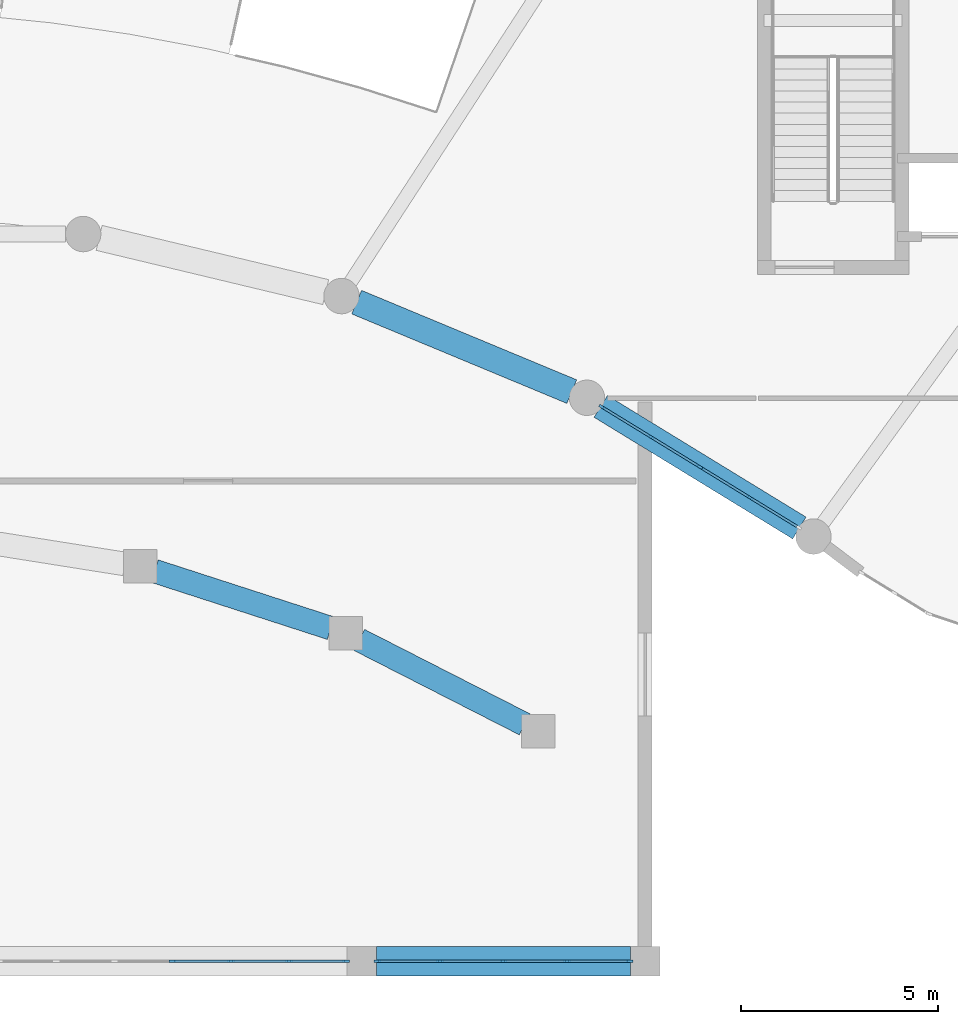
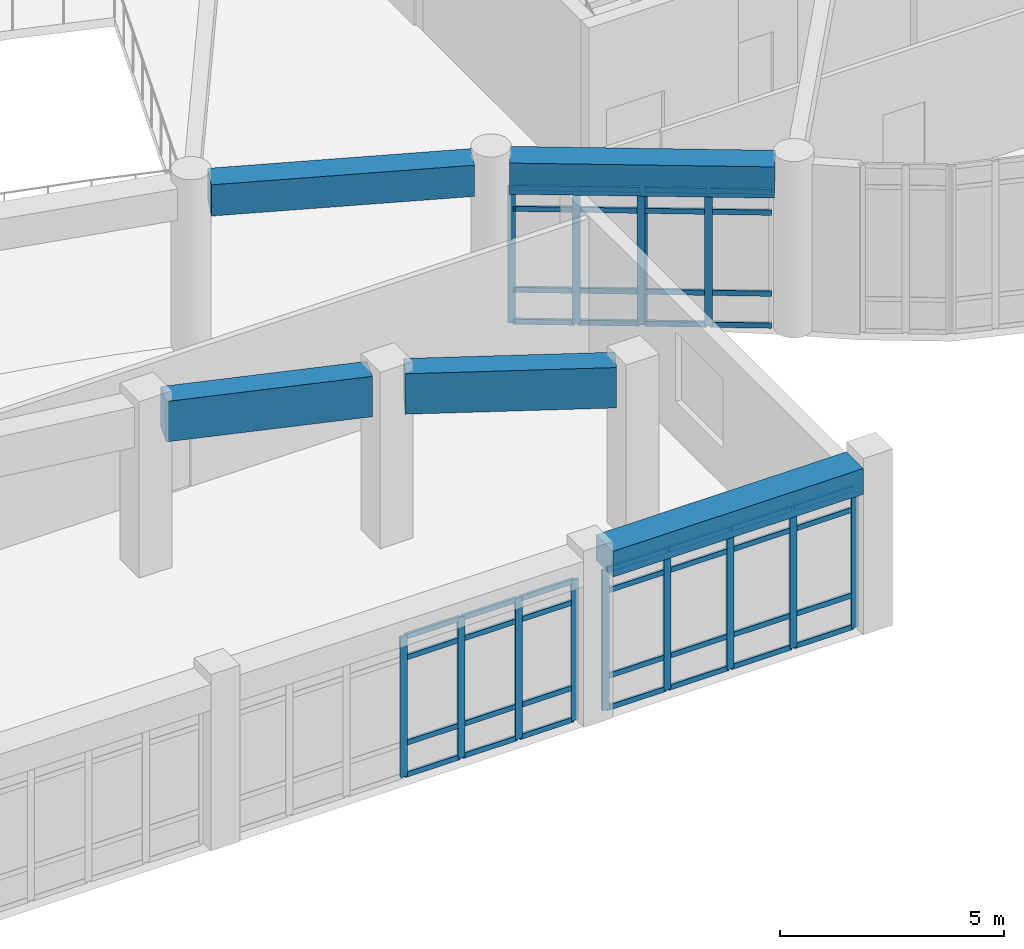
# One storey, part 15 of 68: 58 members, 5 beams, 4 elements without a shape of their own.
"""IFC4 building model written with IfcOpenShell, lengths in metres."""

from ifc_helpers import new_model, si_unit, direction, frame, origin, origin_2d, place, context, subcontext, project, spatial, rectangle, extrude, material, layer, layer_set, material_profile, profile_set, type_object, element, aggregate, save


model = new_model("IFC4")

# Units and contexts
model_context = context("Model", 3, precision=1e-05, world=origin(), true_north=direction((0.0, 1.0)))
body_context = subcontext(model_context, "Body", "Model", "MODEL_VIEW")
ifc_project = project(units=[si_unit("LENGTHUNIT", "METRE"), si_unit("AREAUNIT", "SQUARE_METRE"), si_unit("VOLUMEUNIT", "CUBIC_METRE"), si_unit("PLANEANGLEUNIT", "RADIAN"), si_unit("MASSUNIT", "GRAM", prefix="KILO")], contexts=[model_context])

# Site, building, storey
site_placement = place(None, origin())
site = spatial("IfcSite", under=ifc_project, at=site_placement, CompositionType="ELEMENT")
building_placement = place(site_placement, origin())
building = spatial("IfcBuilding", under=site, at=building_placement, Name="Miralva Faculty of Natural Sciences", CompositionType="ELEMENT")
storey_placement = place(building_placement, frame((0.0, 0.0, 5.39990234375)))
storey = spatial("IfcBuildingStorey", under=building, at=storey_placement, Name="L01", CompositionType="ELEMENT", Elevation=5.39990234375)

# Beams
ifc_material_1 = material(Name="Concrete C40/50", Category="concrete")
ifc_material_profile_1 = material_profile(ifc_material_1, rectangle(XDim=0.75, YDim=0.699951171875, at=origin_2d()), Name="RC 750x700")
ifc_profile_set_1 = profile_set([ifc_material_profile_1], Name="Concrete C40/50")
beam_type_1 = type_object("IfcBeamType", Name="BM-SP01", PredefinedType="SPANDREL", material=ifc_profile_set_1)
beam_1_placement = place(storey_placement, frame((104.175048828125, 3.0, 4.18017578125), z_axis=(1.0, 0.0, 0.0), x_axis=(0.0, 1.0, 0.0)))
element("IfcBeam", 1, at=beam_1_placement, inside=storey, type_object=beam_type_1, Name="Girder EW L01-10", PredefinedType="SPANDREL", context=body_context, shape_type="SweptSolid", body=[
    extrude(rectangle(XDim=0.75, YDim=0.699951171875, at=origin_2d()), origin(), (0.0, 0.0, 1.0), 6.449951171875),
])
ifc_material_profile_2 = material_profile(ifc_material_1, rectangle(XDim=0.64990234375, YDim=0.85009765625, at=origin_2d()), Name="RC 650x850")
ifc_profile_set_2 = profile_set([ifc_material_profile_2], Name="Concrete C40/50")
beam_type_2 = type_object("IfcBeamType", Name="BM-SP03", PredefinedType="SPANDREL", material=ifc_profile_set_2)
beam_2_placement = place(storey_placement, frame((114.9169921875, 14.006103515625, 4.135009765625), z_axis=(-0.852887694262, 0.522094417683, 0.0), x_axis=(-0.522094417683, -0.852887694262, 0.0)))
element("IfcBeam", 2, at=beam_2_placement, inside=storey, type_object=beam_type_2, Name="Curved chord girder ARCIN L01-1", PredefinedType="SPANDREL", context=body_context, shape_type="SweptSolid", body=[
    extrude(rectangle(XDim=0.64990234375, YDim=0.85009765625, at=origin_2d()), origin(), (0.0, 0.0, 1.0), 5.9140625),
])
beam_3_placement = place(storey_placement, frame((109.1376953125, 17.468994140625, 4.10498046875), z_axis=(-0.923376848941, 0.38389477053, 0.0), x_axis=(-0.38389477053, -0.923376848941, 0.0)))
element("IfcBeam", 3, at=beam_3_placement, inside=storey, type_object=beam_type_2, Name="Curved chord girder ARCIN L01-2", PredefinedType="SPANDREL", context=body_context, shape_type="SweptSolid", body=[
    extrude(rectangle(XDim=0.64990234375, YDim=0.85009765625, at=origin_2d()), origin(), (0.0, 0.0, 1.0), 5.9189453125),
])
ifc_material_profile_3 = material_profile(ifc_material_1, rectangle(XDim=0.60009765625, YDim=1.10009765625, at=origin_2d()), Name="RC 600x1100")
ifc_profile_set_3 = profile_set([ifc_material_profile_3], Name="Concrete C40/50")
beam_type_3 = type_object("IfcBeamType", Name="BM-TG01", PredefinedType="BEAM", material=ifc_profile_set_3)
beam_4_placement = place(storey_placement, frame((107.941650390625, 9.017578125, 4.0), z_axis=(-0.890744771804, 0.454503852024, 0.0), x_axis=(-0.454503852024, -0.890744771804, 0.0)))
element("IfcBeam", 4, at=beam_4_placement, inside=storey, type_object=beam_type_3, Name="Curved chord girder SHIN L01-1", PredefinedType="BEAM", context=body_context, shape_type="SweptSolid", body=[
    extrude(rectangle(XDim=0.60009765625, YDim=1.10009765625, at=origin_2d()), origin(), (0.0, 0.0, 1.0), 4.718994140625),
])
beam_5_placement = place(storey_placement, frame((103.01806640625, 11.46044921875, 4.0), z_axis=(-0.951377447545, 0.308027518743, 0.0), x_axis=(-0.308027518743, -0.951377447545, 0.0)))
element("IfcBeam", 5, at=beam_5_placement, inside=storey, type_object=beam_type_3, Name="Curved chord girder SHIN L01-2", PredefinedType="BEAM", context=body_context, shape_type="SweptSolid", body=[
    extrude(rectangle(XDim=0.60009765625, YDim=1.10009765625, at=origin_2d()), origin(), (0.0, 0.0, 1.0), 4.704833984375),
])

# Curtain wall, members
ifc_material_2 = material(Name="Laminated solar-control glass", Category="glass")
ifc_layer_1 = layer(ifc_material_2, 0.179931640625, Name="CW-ARC-L01")
ifc_layer_set_1 = layer_set([ifc_layer_1], Name="Laminated solar-control glass")
curtain_wall_type_1 = type_object("IfcCurtainWallType", Name="CW-ARC-L01", PredefinedType="USERDEFINED", material=ifc_layer_set_1)
curtain_wall_1_placement = place(storey_placement, origin())
curtain_wall_1 = element("IfcCurtainWall", 6, at=curtain_wall_1_placement, inside=storey, type_object=curtain_wall_type_1, Name="Curtain wall CW-02 L01-29", ObjectType="UNITISED CURTAIN WALL", PredefinedType="USERDEFINED")
ifc_material_3 = material(Name="Anodised aluminium", Category="aluminium")
ifc_material_profile_4 = material_profile(ifc_material_3, rectangle(XDim=0.06494140625, YDim=0.179931640625, at=origin_2d()), Name="MULLION 65x180")
ifc_profile_set_4 = profile_set([ifc_material_profile_4], Name="Anodised aluminium")
member_type_1 = type_object("IfcMemberType", Name="CW-M01", PredefinedType="MULLION", material=ifc_profile_set_4)
member_1_placement = place(storey_placement, frame((109.91162109375, 17.07421875, 0.0), z_axis=(0.0, 0.0, 1.0), x_axis=(0.522482534269, 0.852649987617, 0.0)))
member_1 = element("IfcMember", 7, at=member_1_placement, type_object=member_type_1, Name="CW-02 mullion 1", PredefinedType="MULLION", context=body_context, shape_type="SweptSolid", body=[
    extrude(rectangle(XDim=0.06494140625, YDim=0.179931640625, at=origin_2d()), origin(), (0.0, 0.0, 1.0), 3.705078125),
])
member_2_placement = place(storey_placement, frame((111.14111328125, 16.32080078125, 0.0), z_axis=(0.0, 0.0, 1.0), x_axis=(0.522482534269, 0.852649987617, 0.0)))
member_2 = element("IfcMember", 8, at=member_2_placement, type_object=member_type_1, Name="CW-02 mullion 2", PredefinedType="MULLION", context=body_context, shape_type="SweptSolid", body=[
    extrude(rectangle(XDim=0.06494140625, YDim=0.179931640625, at=origin_2d()), origin(), (0.0, 0.0, 1.0), 3.705078125),
])
member_3_placement = place(storey_placement, frame((112.37060546875, 15.5673828125, 0.0), z_axis=(0.0, 0.0, 1.0), x_axis=(0.522482534269, 0.852649987617, 0.0)))
member_3 = element("IfcMember", 9, at=member_3_placement, type_object=member_type_1, Name="CW-02 mullion 3", PredefinedType="MULLION", context=body_context, shape_type="SweptSolid", body=[
    extrude(rectangle(XDim=0.06494140625, YDim=0.179931640625, at=origin_2d()), origin(), (0.0, 0.0, 1.0), 3.705078125),
])

curtain_wall_2_placement = place(storey_placement, origin())
curtain_wall_2 = element("IfcCurtainWall", 10, at=curtain_wall_2_placement, inside=storey, type_object=curtain_wall_type_1, Name="Curtain wall CW-02 L01-30", ObjectType="UNITISED CURTAIN WALL", PredefinedType="USERDEFINED")
member_4_placement = place(storey_placement, frame((112.421630859375, 15.5361328125, 0.0), z_axis=(0.0, 0.0, 1.0), x_axis=(0.522489018681, 0.852646014098, 0.0)))
member_4 = element("IfcMember", 11, at=member_4_placement, type_object=member_type_1, Name="CW-02 mullion 1", PredefinedType="MULLION", context=body_context, shape_type="SweptSolid", body=[
    extrude(rectangle(XDim=0.06494140625, YDim=0.179931640625, at=origin_2d()), origin(), (0.0, 0.0, 1.0), 3.705078125),
])
member_5_placement = place(storey_placement, frame((113.653076171875, 14.781494140625, 0.0), z_axis=(0.0, 0.0, 1.0), x_axis=(0.522489018681, 0.852646014098, 0.0)))
member_5 = element("IfcMember", 12, at=member_5_placement, type_object=member_type_1, Name="CW-02 mullion 2", PredefinedType="MULLION", context=body_context, shape_type="SweptSolid", body=[
    extrude(rectangle(XDim=0.06494140625, YDim=0.179931640625, at=origin_2d()), origin(), (0.0, 0.0, 1.0), 3.705078125),
])

ifc_layer_2 = layer(ifc_material_2, 0.179931640625, Name="CW-LEC-L01")
ifc_layer_set_2 = layer_set([ifc_layer_2], Name="Laminated solar-control glass")
curtain_wall_type_2 = type_object("IfcCurtainWallType", Name="CW-LEC-L01", PredefinedType="USERDEFINED", material=ifc_layer_set_2)
curtain_wall_3_placement = place(storey_placement, origin())
curtain_wall_3 = element("IfcCurtainWall", 13, at=curtain_wall_3_placement, inside=storey, type_object=curtain_wall_type_2, Name="Curtain wall CW-08 L01-209", ObjectType="UNITISED CURTAIN WALL", PredefinedType="USERDEFINED")
member_6_placement = place(storey_placement, frame((99.0, 3.0, 0.0), z_axis=(0.0, 0.0, 1.0), x_axis=(0.0, 1.0, 0.0)))
member_6 = element("IfcMember", 14, at=member_6_placement, type_object=member_type_1, Name="CW-08 mullion 4", PredefinedType="MULLION", context=body_context, shape_type="SweptSolid", body=[
    extrude(rectangle(XDim=0.06494140625, YDim=0.179931640625, at=origin_2d()), origin(), (0.0, 0.0, 1.0), 3.8251953125),
])
member_7_placement = place(storey_placement, frame((100.478271484375, 3.0, 0.0), z_axis=(0.0, 0.0, 1.0), x_axis=(0.0, 1.0, 0.0)))
member_7 = element("IfcMember", 15, at=member_7_placement, type_object=member_type_1, Name="CW-08 mullion 5", PredefinedType="MULLION", context=body_context, shape_type="SweptSolid", body=[
    extrude(rectangle(XDim=0.06494140625, YDim=0.179931640625, at=origin_2d()), origin(), (0.0, 0.0, 1.0), 3.8251953125),
])
member_8_placement = place(storey_placement, frame((101.956787109375, 3.0, 0.0), z_axis=(0.0, 0.0, 1.0), x_axis=(0.0, 1.0, 0.0)))
member_8 = element("IfcMember", 16, at=member_8_placement, type_object=member_type_1, Name="CW-08 mullion 6", PredefinedType="MULLION", context=body_context, shape_type="SweptSolid", body=[
    extrude(rectangle(XDim=0.06494140625, YDim=0.179931640625, at=origin_2d()), origin(), (0.0, 0.0, 1.0), 3.8251953125),
])
member_9_placement = place(storey_placement, frame((103.402587890625, 3.0, 0.0), z_axis=(0.0, 0.0, 1.0), x_axis=(0.0, 1.0, 0.0)))
member_9 = element("IfcMember", 17, at=member_9_placement, type_object=member_type_1, Name="CW-08 mullion 7", PredefinedType="MULLION", context=body_context, shape_type="SweptSolid", body=[
    extrude(rectangle(XDim=0.06494140625, YDim=0.179931640625, at=origin_2d()), origin(), (0.0, 0.0, 1.0), 3.8251953125),
])

curtain_wall_4_placement = place(storey_placement, origin())
curtain_wall_4 = element("IfcCurtainWall", 18, at=curtain_wall_4_placement, inside=storey, type_object=curtain_wall_type_2, Name="Curtain wall CW-08 L01-210", ObjectType="UNITISED CURTAIN WALL", PredefinedType="USERDEFINED")
member_10_placement = place(storey_placement, frame((104.197509765625, 3.0, 0.0), z_axis=(0.0, 0.0, 1.0), x_axis=(0.0, 1.0, 0.0)))
member_10 = element("IfcMember", 19, at=member_10_placement, type_object=member_type_1, Name="CW-08 mullion 1", PredefinedType="MULLION", context=body_context, shape_type="SweptSolid", body=[
    extrude(rectangle(XDim=0.06494140625, YDim=0.179931640625, at=origin_2d()), origin(), (0.0, 0.0, 1.0), 3.8251953125),
])
member_11_placement = place(storey_placement, frame((105.782470703125, 3.0, 0.0), z_axis=(0.0, 0.0, 1.0), x_axis=(0.0, 1.0, 0.0)))
member_11 = element("IfcMember", 20, at=member_11_placement, type_object=member_type_1, Name="CW-08 mullion 2", PredefinedType="MULLION", context=body_context, shape_type="SweptSolid", body=[
    extrude(rectangle(XDim=0.06494140625, YDim=0.179931640625, at=origin_2d()), origin(), (0.0, 0.0, 1.0), 3.8251953125),
])
member_12_placement = place(storey_placement, frame((107.39990234375, 3.0, 0.0), z_axis=(0.0, 0.0, 1.0), x_axis=(0.0, 1.0, 0.0)))
member_12 = element("IfcMember", 21, at=member_12_placement, type_object=member_type_1, Name="CW-08 mullion 3", PredefinedType="MULLION", context=body_context, shape_type="SweptSolid", body=[
    extrude(rectangle(XDim=0.06494140625, YDim=0.179931640625, at=origin_2d()), origin(), (0.0, 0.0, 1.0), 3.8251953125),
])
member_13_placement = place(storey_placement, frame((109.017578125, 3.0, 0.0), z_axis=(0.0, 0.0, 1.0), x_axis=(0.0, 1.0, 0.0)))
member_13 = element("IfcMember", 22, at=member_13_placement, type_object=member_type_1, Name="CW-08 mullion 4", PredefinedType="MULLION", context=body_context, shape_type="SweptSolid", body=[
    extrude(rectangle(XDim=0.06494140625, YDim=0.179931640625, at=origin_2d()), origin(), (0.0, 0.0, 1.0), 3.8251953125),
])
member_14_placement = place(storey_placement, frame((110.6025390625, 3.0, 0.0), z_axis=(0.0, 0.0, 1.0), x_axis=(0.0, 1.0, 0.0)))
member_14 = element("IfcMember", 23, at=member_14_placement, type_object=member_type_1, Name="CW-08 mullion 5", PredefinedType="MULLION", context=body_context, shape_type="SweptSolid", body=[
    extrude(rectangle(XDim=0.06494140625, YDim=0.179931640625, at=origin_2d()), origin(), (0.0, 0.0, 1.0), 3.8251953125),
])

# Member
ifc_material_profile_5 = material_profile(ifc_material_3, rectangle(XDim=0.06494140625, YDim=0.139892578125, at=origin_2d()), Name="TRANSOM 65x140")
ifc_profile_set_5 = profile_set([ifc_material_profile_5], Name="Anodised aluminium")
member_type_2 = type_object("IfcMemberType", Name="CW-T01", PredefinedType="USERDEFINED", material=ifc_profile_set_5)
member_15_placement = place(storey_placement, frame((109.939208984375, 17.05712890625, 0.03271484375), z_axis=(0.852715910973, -0.522374937352, 0.0), x_axis=(0.522374937352, 0.852715910973, 0.0)))
member_15 = element("IfcMember", 24, at=member_15_placement, type_object=member_type_2, Name="CW-02 transom 1.1", ObjectType="TRANSOM", PredefinedType="USERDEFINED", context=body_context, shape_type="SweptSolid", body=[
    extrude(rectangle(XDim=0.06494140625, YDim=0.139892578125, at=origin_2d()), origin(), (0.0, 0.0, 1.0), 1.376953125),
])

member_16_placement = place(storey_placement, frame((109.939208984375, 17.05712890625, 0.900146484375), z_axis=(0.852715910973, -0.522374937352, 0.0), x_axis=(0.522374937352, 0.852715910973, 0.0)))
member_16 = element("IfcMember", 25, at=member_16_placement, type_object=member_type_2, Name="CW-02 transom 1.2", ObjectType="TRANSOM", PredefinedType="USERDEFINED", context=body_context, shape_type="SweptSolid", body=[
    extrude(rectangle(XDim=0.06494140625, YDim=0.139892578125, at=origin_2d()), origin(), (0.0, 0.0, 1.0), 1.376953125),
])

member_17_placement = place(storey_placement, frame((109.939208984375, 17.05712890625, 3.10498046875), z_axis=(0.852715910973, -0.522374937352, 0.0), x_axis=(0.522374937352, 0.852715910973, 0.0)))
member_17 = element("IfcMember", 26, at=member_17_placement, type_object=member_type_2, Name="CW-02 transom 1.3", ObjectType="TRANSOM", PredefinedType="USERDEFINED", context=body_context, shape_type="SweptSolid", body=[
    extrude(rectangle(XDim=0.06494140625, YDim=0.139892578125, at=origin_2d()), origin(), (0.0, 0.0, 1.0), 1.376953125),
])

member_18_placement = place(storey_placement, frame((109.939208984375, 17.05712890625, 3.672607421875), z_axis=(0.852715910973, -0.522374937352, 0.0), x_axis=(0.522374937352, 0.852715910973, 0.0)))
member_18 = element("IfcMember", 27, at=member_18_placement, type_object=member_type_2, Name="CW-02 transom 1.4", ObjectType="TRANSOM", PredefinedType="USERDEFINED", context=body_context, shape_type="SweptSolid", body=[
    extrude(rectangle(XDim=0.06494140625, YDim=0.139892578125, at=origin_2d()), origin(), (0.0, 0.0, 1.0), 1.376953125),
])

member_19_placement = place(storey_placement, frame((111.168701171875, 16.303955078125, 0.03271484375), z_axis=(0.852636925059, -0.522503850728, 0.0), x_axis=(0.522503850728, 0.852636925059, 0.0)))
member_19 = element("IfcMember", 28, at=member_19_placement, type_object=member_type_2, Name="CW-02 transom 2.1", ObjectType="TRANSOM", PredefinedType="USERDEFINED", context=body_context, shape_type="SweptSolid", body=[
    extrude(rectangle(XDim=0.06494140625, YDim=0.139892578125, at=origin_2d()), origin(), (0.0, 0.0, 1.0), 1.376953125),
])

member_20_placement = place(storey_placement, frame((111.168701171875, 16.303955078125, 0.900146484375), z_axis=(0.852636925059, -0.522503850728, 0.0), x_axis=(0.522503850728, 0.852636925059, 0.0)))
member_20 = element("IfcMember", 29, at=member_20_placement, type_object=member_type_2, Name="CW-02 transom 2.2", ObjectType="TRANSOM", PredefinedType="USERDEFINED", context=body_context, shape_type="SweptSolid", body=[
    extrude(rectangle(XDim=0.06494140625, YDim=0.139892578125, at=origin_2d()), origin(), (0.0, 0.0, 1.0), 1.376953125),
])

member_21_placement = place(storey_placement, frame((111.168701171875, 16.303955078125, 3.10498046875), z_axis=(0.852636925059, -0.522503850728, 0.0), x_axis=(0.522503850728, 0.852636925059, 0.0)))
member_21 = element("IfcMember", 30, at=member_21_placement, type_object=member_type_2, Name="CW-02 transom 2.3", ObjectType="TRANSOM", PredefinedType="USERDEFINED", context=body_context, shape_type="SweptSolid", body=[
    extrude(rectangle(XDim=0.06494140625, YDim=0.139892578125, at=origin_2d()), origin(), (0.0, 0.0, 1.0), 1.376953125),
])

member_22_placement = place(storey_placement, frame((111.168701171875, 16.303955078125, 3.672607421875), z_axis=(0.852636925059, -0.522503850728, 0.0), x_axis=(0.522503850728, 0.852636925059, 0.0)))
member_22 = element("IfcMember", 31, at=member_22_placement, type_object=member_type_2, Name="CW-02 transom 2.4", ObjectType="TRANSOM", PredefinedType="USERDEFINED", context=body_context, shape_type="SweptSolid", body=[
    extrude(rectangle(XDim=0.06494140625, YDim=0.139892578125, at=origin_2d()), origin(), (0.0, 0.0, 1.0), 1.376953125),
])

aggregate(curtain_wall_1, [member_1, member_2, member_3, member_15, member_16, member_17, member_18, member_19, member_20, member_21, member_22])

member_23_placement = place(storey_placement, frame((112.44921875, 15.51904296875, 0.03271484375), z_axis=(0.852677549803, -0.522437552308, 0.0), x_axis=(0.522437552308, 0.852677549803, 0.0)))
member_23 = element("IfcMember", 32, at=member_23_placement, type_object=member_type_2, Name="CW-02 transom 1.1", ObjectType="TRANSOM", PredefinedType="USERDEFINED", context=body_context, shape_type="SweptSolid", body=[
    extrude(rectangle(XDim=0.06494140625, YDim=0.139892578125, at=origin_2d()), origin(), (0.0, 0.0, 1.0), 1.37939453125),
])

member_24_placement = place(storey_placement, frame((112.44921875, 15.51904296875, 0.900146484375), z_axis=(0.852677549803, -0.522437552308, 0.0), x_axis=(0.522437552308, 0.852677549803, 0.0)))
member_24 = element("IfcMember", 33, at=member_24_placement, type_object=member_type_2, Name="CW-02 transom 1.2", ObjectType="TRANSOM", PredefinedType="USERDEFINED", context=body_context, shape_type="SweptSolid", body=[
    extrude(rectangle(XDim=0.06494140625, YDim=0.139892578125, at=origin_2d()), origin(), (0.0, 0.0, 1.0), 1.37939453125),
])

member_25_placement = place(storey_placement, frame((112.44921875, 15.51904296875, 3.10498046875), z_axis=(0.852677549803, -0.522437552308, 0.0), x_axis=(0.522437552308, 0.852677549803, 0.0)))
member_25 = element("IfcMember", 34, at=member_25_placement, type_object=member_type_2, Name="CW-02 transom 1.3", ObjectType="TRANSOM", PredefinedType="USERDEFINED", context=body_context, shape_type="SweptSolid", body=[
    extrude(rectangle(XDim=0.06494140625, YDim=0.139892578125, at=origin_2d()), origin(), (0.0, 0.0, 1.0), 1.37939453125),
])

member_26_placement = place(storey_placement, frame((112.44921875, 15.51904296875, 3.672607421875), z_axis=(0.852677549803, -0.522437552308, 0.0), x_axis=(0.522437552308, 0.852677549803, 0.0)))
member_26 = element("IfcMember", 35, at=member_26_placement, type_object=member_type_2, Name="CW-02 transom 1.4", ObjectType="TRANSOM", PredefinedType="USERDEFINED", context=body_context, shape_type="SweptSolid", body=[
    extrude(rectangle(XDim=0.06494140625, YDim=0.139892578125, at=origin_2d()), origin(), (0.0, 0.0, 1.0), 1.37939453125),
])

member_27_placement = place(storey_placement, frame((113.680908203125, 14.764404296875, 0.03271484375), z_axis=(0.852629234455, -0.522516400272, 0.0), x_axis=(0.522516400272, 0.852629234455, 0.0)))
member_27 = element("IfcMember", 36, at=member_27_placement, type_object=member_type_2, Name="CW-02 transom 2.1", ObjectType="TRANSOM", PredefinedType="USERDEFINED", context=body_context, shape_type="SweptSolid", body=[
    extrude(rectangle(XDim=0.06494140625, YDim=0.139892578125, at=origin_2d()), origin(), (0.0, 0.0, 1.0), 1.37939453125),
])

member_28_placement = place(storey_placement, frame((113.680908203125, 14.764404296875, 0.900146484375), z_axis=(0.852629234455, -0.522516400272, 0.0), x_axis=(0.522516400272, 0.852629234455, 0.0)))
member_28 = element("IfcMember", 37, at=member_28_placement, type_object=member_type_2, Name="CW-02 transom 2.2", ObjectType="TRANSOM", PredefinedType="USERDEFINED", context=body_context, shape_type="SweptSolid", body=[
    extrude(rectangle(XDim=0.06494140625, YDim=0.139892578125, at=origin_2d()), origin(), (0.0, 0.0, 1.0), 1.37939453125),
])

member_29_placement = place(storey_placement, frame((113.680908203125, 14.764404296875, 3.10498046875), z_axis=(0.852629234455, -0.522516400272, 0.0), x_axis=(0.522516400272, 0.852629234455, 0.0)))
member_29 = element("IfcMember", 38, at=member_29_placement, type_object=member_type_2, Name="CW-02 transom 2.3", ObjectType="TRANSOM", PredefinedType="USERDEFINED", context=body_context, shape_type="SweptSolid", body=[
    extrude(rectangle(XDim=0.06494140625, YDim=0.139892578125, at=origin_2d()), origin(), (0.0, 0.0, 1.0), 1.37939453125),
])

member_30_placement = place(storey_placement, frame((113.680908203125, 14.764404296875, 3.672607421875), z_axis=(0.852629234455, -0.522516400272, 0.0), x_axis=(0.522516400272, 0.852629234455, 0.0)))
member_30 = element("IfcMember", 39, at=member_30_placement, type_object=member_type_2, Name="CW-02 transom 2.4", ObjectType="TRANSOM", PredefinedType="USERDEFINED", context=body_context, shape_type="SweptSolid", body=[
    extrude(rectangle(XDim=0.06494140625, YDim=0.139892578125, at=origin_2d()), origin(), (0.0, 0.0, 1.0), 1.37939453125),
])

aggregate(curtain_wall_2, [member_4, member_5, member_23, member_24, member_25, member_26, member_27, member_28, member_29, member_30])

member_31_placement = place(storey_placement, frame((99.032470703125, 3.0, 0.03271484375), z_axis=(1.0, 0.0, 0.0), x_axis=(0.0, 1.0, 0.0)))
member_31 = element("IfcMember", 40, at=member_31_placement, type_object=member_type_2, Name="CW-08 transom 4.1", ObjectType="TRANSOM", PredefinedType="USERDEFINED", context=body_context, shape_type="SweptSolid", body=[
    extrude(rectangle(XDim=0.06494140625, YDim=0.139892578125, at=origin_2d()), origin(), (0.0, 0.0, 1.0), 1.413330078125),
])

member_32_placement = place(storey_placement, frame((99.032470703125, 3.0, 0.900146484375), z_axis=(1.0, 0.0, 0.0), x_axis=(0.0, 1.0, 0.0)))
member_32 = element("IfcMember", 41, at=member_32_placement, type_object=member_type_2, Name="CW-08 transom 4.2", ObjectType="TRANSOM", PredefinedType="USERDEFINED", context=body_context, shape_type="SweptSolid", body=[
    extrude(rectangle(XDim=0.06494140625, YDim=0.139892578125, at=origin_2d()), origin(), (0.0, 0.0, 1.0), 1.413330078125),
])

member_33_placement = place(storey_placement, frame((99.032470703125, 3.0, 3.22509765625), z_axis=(1.0, 0.0, 0.0), x_axis=(0.0, 1.0, 0.0)))
member_33 = element("IfcMember", 42, at=member_33_placement, type_object=member_type_2, Name="CW-08 transom 4.3", ObjectType="TRANSOM", PredefinedType="USERDEFINED", context=body_context, shape_type="SweptSolid", body=[
    extrude(rectangle(XDim=0.06494140625, YDim=0.139892578125, at=origin_2d()), origin(), (0.0, 0.0, 1.0), 1.413330078125),
])

member_34_placement = place(storey_placement, frame((99.032470703125, 3.0, 3.79248046875), z_axis=(1.0, 0.0, 0.0), x_axis=(0.0, 1.0, 0.0)))
member_34 = element("IfcMember", 43, at=member_34_placement, type_object=member_type_2, Name="CW-08 transom 4.4", ObjectType="TRANSOM", PredefinedType="USERDEFINED", context=body_context, shape_type="SweptSolid", body=[
    extrude(rectangle(XDim=0.06494140625, YDim=0.139892578125, at=origin_2d()), origin(), (0.0, 0.0, 1.0), 1.413330078125),
])

member_35_placement = place(storey_placement, frame((100.5107421875, 3.0, 0.03271484375), z_axis=(1.0, 0.0, 0.0), x_axis=(0.0, 1.0, 0.0)))
member_35 = element("IfcMember", 44, at=member_35_placement, type_object=member_type_2, Name="CW-08 transom 5.1", ObjectType="TRANSOM", PredefinedType="USERDEFINED", context=body_context, shape_type="SweptSolid", body=[
    extrude(rectangle(XDim=0.06494140625, YDim=0.139892578125, at=origin_2d()), origin(), (0.0, 0.0, 1.0), 1.413330078125),
])

member_36_placement = place(storey_placement, frame((100.5107421875, 3.0, 0.900146484375), z_axis=(1.0, 0.0, 0.0), x_axis=(0.0, 1.0, 0.0)))
member_36 = element("IfcMember", 45, at=member_36_placement, type_object=member_type_2, Name="CW-08 transom 5.2", ObjectType="TRANSOM", PredefinedType="USERDEFINED", context=body_context, shape_type="SweptSolid", body=[
    extrude(rectangle(XDim=0.06494140625, YDim=0.139892578125, at=origin_2d()), origin(), (0.0, 0.0, 1.0), 1.413330078125),
])

member_37_placement = place(storey_placement, frame((100.5107421875, 3.0, 3.22509765625), z_axis=(1.0, 0.0, 0.0), x_axis=(0.0, 1.0, 0.0)))
member_37 = element("IfcMember", 46, at=member_37_placement, type_object=member_type_2, Name="CW-08 transom 5.3", ObjectType="TRANSOM", PredefinedType="USERDEFINED", context=body_context, shape_type="SweptSolid", body=[
    extrude(rectangle(XDim=0.06494140625, YDim=0.139892578125, at=origin_2d()), origin(), (0.0, 0.0, 1.0), 1.413330078125),
])

member_38_placement = place(storey_placement, frame((100.5107421875, 3.0, 3.79248046875), z_axis=(1.0, 0.0, 0.0), x_axis=(0.0, 1.0, 0.0)))
member_38 = element("IfcMember", 47, at=member_38_placement, type_object=member_type_2, Name="CW-08 transom 5.4", ObjectType="TRANSOM", PredefinedType="USERDEFINED", context=body_context, shape_type="SweptSolid", body=[
    extrude(rectangle(XDim=0.06494140625, YDim=0.139892578125, at=origin_2d()), origin(), (0.0, 0.0, 1.0), 1.413330078125),
])

member_39_placement = place(storey_placement, frame((101.9892578125, 3.0, 0.03271484375), z_axis=(1.0, 0.0, 0.0), x_axis=(0.0, 1.0, 0.0)))
member_39 = element("IfcMember", 48, at=member_39_placement, type_object=member_type_2, Name="CW-08 transom 6.1", ObjectType="TRANSOM", PredefinedType="USERDEFINED", context=body_context, shape_type="SweptSolid", body=[
    extrude(rectangle(XDim=0.06494140625, YDim=0.139892578125, at=origin_2d()), origin(), (0.0, 0.0, 1.0), 1.380859375),
])

member_40_placement = place(storey_placement, frame((101.9892578125, 3.0, 0.900146484375), z_axis=(1.0, 0.0, 0.0), x_axis=(0.0, 1.0, 0.0)))
member_40 = element("IfcMember", 49, at=member_40_placement, type_object=member_type_2, Name="CW-08 transom 6.2", ObjectType="TRANSOM", PredefinedType="USERDEFINED", context=body_context, shape_type="SweptSolid", body=[
    extrude(rectangle(XDim=0.06494140625, YDim=0.139892578125, at=origin_2d()), origin(), (0.0, 0.0, 1.0), 1.380859375),
])

member_41_placement = place(storey_placement, frame((101.9892578125, 3.0, 3.22509765625), z_axis=(1.0, 0.0, 0.0), x_axis=(0.0, 1.0, 0.0)))
member_41 = element("IfcMember", 50, at=member_41_placement, type_object=member_type_2, Name="CW-08 transom 6.3", ObjectType="TRANSOM", PredefinedType="USERDEFINED", context=body_context, shape_type="SweptSolid", body=[
    extrude(rectangle(XDim=0.06494140625, YDim=0.139892578125, at=origin_2d()), origin(), (0.0, 0.0, 1.0), 1.380859375),
])

member_42_placement = place(storey_placement, frame((101.9892578125, 3.0, 3.79248046875), z_axis=(1.0, 0.0, 0.0), x_axis=(0.0, 1.0, 0.0)))
member_42 = element("IfcMember", 51, at=member_42_placement, type_object=member_type_2, Name="CW-08 transom 6.4", ObjectType="TRANSOM", PredefinedType="USERDEFINED", context=body_context, shape_type="SweptSolid", body=[
    extrude(rectangle(XDim=0.06494140625, YDim=0.139892578125, at=origin_2d()), origin(), (0.0, 0.0, 1.0), 1.380859375),
])

aggregate(curtain_wall_3, [member_6, member_7, member_8, member_9, member_31, member_32, member_33, member_34, member_35, member_36, member_37, member_38, member_39, member_40, member_41, member_42])

member_43_placement = place(storey_placement, frame((104.22998046875, 3.0, 0.03271484375), z_axis=(1.0, 0.0, 0.0), x_axis=(0.0, 1.0, 0.0)))
member_43 = element("IfcMember", 52, at=member_43_placement, type_object=member_type_2, Name="CW-08 transom 1.1", ObjectType="TRANSOM", PredefinedType="USERDEFINED", context=body_context, shape_type="SweptSolid", body=[
    extrude(rectangle(XDim=0.06494140625, YDim=0.139892578125, at=origin_2d()), origin(), (0.0, 0.0, 1.0), 1.52001953125),
])

member_44_placement = place(storey_placement, frame((104.22998046875, 3.0, 0.900146484375), z_axis=(1.0, 0.0, 0.0), x_axis=(0.0, 1.0, 0.0)))
member_44 = element("IfcMember", 53, at=member_44_placement, type_object=member_type_2, Name="CW-08 transom 1.2", ObjectType="TRANSOM", PredefinedType="USERDEFINED", context=body_context, shape_type="SweptSolid", body=[
    extrude(rectangle(XDim=0.06494140625, YDim=0.139892578125, at=origin_2d()), origin(), (0.0, 0.0, 1.0), 1.52001953125),
])

member_45_placement = place(storey_placement, frame((104.22998046875, 3.0, 3.22509765625), z_axis=(1.0, 0.0, 0.0), x_axis=(0.0, 1.0, 0.0)))
member_45 = element("IfcMember", 54, at=member_45_placement, type_object=member_type_2, Name="CW-08 transom 1.3", ObjectType="TRANSOM", PredefinedType="USERDEFINED", context=body_context, shape_type="SweptSolid", body=[
    extrude(rectangle(XDim=0.06494140625, YDim=0.139892578125, at=origin_2d()), origin(), (0.0, 0.0, 1.0), 1.52001953125),
])

member_46_placement = place(storey_placement, frame((104.22998046875, 3.0, 3.79248046875), z_axis=(1.0, 0.0, 0.0), x_axis=(0.0, 1.0, 0.0)))
member_46 = element("IfcMember", 55, at=member_46_placement, type_object=member_type_2, Name="CW-08 transom 1.4", ObjectType="TRANSOM", PredefinedType="USERDEFINED", context=body_context, shape_type="SweptSolid", body=[
    extrude(rectangle(XDim=0.06494140625, YDim=0.139892578125, at=origin_2d()), origin(), (0.0, 0.0, 1.0), 1.52001953125),
])

member_47_placement = place(storey_placement, frame((105.81494140625, 3.0, 0.03271484375), z_axis=(1.0, 0.0, 0.0), x_axis=(0.0, 1.0, 0.0)))
member_47 = element("IfcMember", 56, at=member_47_placement, type_object=member_type_2, Name="CW-08 transom 2.1", ObjectType="TRANSOM", PredefinedType="USERDEFINED", context=body_context, shape_type="SweptSolid", body=[
    extrude(rectangle(XDim=0.06494140625, YDim=0.139892578125, at=origin_2d()), origin(), (0.0, 0.0, 1.0), 1.552490234375),
])

member_48_placement = place(storey_placement, frame((105.81494140625, 3.0, 0.900146484375), z_axis=(1.0, 0.0, 0.0), x_axis=(0.0, 1.0, 0.0)))
member_48 = element("IfcMember", 57, at=member_48_placement, type_object=member_type_2, Name="CW-08 transom 2.2", ObjectType="TRANSOM", PredefinedType="USERDEFINED", context=body_context, shape_type="SweptSolid", body=[
    extrude(rectangle(XDim=0.06494140625, YDim=0.139892578125, at=origin_2d()), origin(), (0.0, 0.0, 1.0), 1.552490234375),
])

member_49_placement = place(storey_placement, frame((105.81494140625, 3.0, 3.22509765625), z_axis=(1.0, 0.0, 0.0), x_axis=(0.0, 1.0, 0.0)))
member_49 = element("IfcMember", 58, at=member_49_placement, type_object=member_type_2, Name="CW-08 transom 2.3", ObjectType="TRANSOM", PredefinedType="USERDEFINED", context=body_context, shape_type="SweptSolid", body=[
    extrude(rectangle(XDim=0.06494140625, YDim=0.139892578125, at=origin_2d()), origin(), (0.0, 0.0, 1.0), 1.552490234375),
])

member_50_placement = place(storey_placement, frame((105.81494140625, 3.0, 3.79248046875), z_axis=(1.0, 0.0, 0.0), x_axis=(0.0, 1.0, 0.0)))
member_50 = element("IfcMember", 59, at=member_50_placement, type_object=member_type_2, Name="CW-08 transom 2.4", ObjectType="TRANSOM", PredefinedType="USERDEFINED", context=body_context, shape_type="SweptSolid", body=[
    extrude(rectangle(XDim=0.06494140625, YDim=0.139892578125, at=origin_2d()), origin(), (0.0, 0.0, 1.0), 1.552490234375),
])

member_51_placement = place(storey_placement, frame((107.4326171875, 3.0, 0.03271484375), z_axis=(1.0, 0.0, 0.0), x_axis=(0.0, 1.0, 0.0)))
member_51 = element("IfcMember", 60, at=member_51_placement, type_object=member_type_2, Name="CW-08 transom 3.1", ObjectType="TRANSOM", PredefinedType="USERDEFINED", context=body_context, shape_type="SweptSolid", body=[
    extrude(rectangle(XDim=0.06494140625, YDim=0.139892578125, at=origin_2d()), origin(), (0.0, 0.0, 1.0), 1.552490234375),
])

member_52_placement = place(storey_placement, frame((107.4326171875, 3.0, 0.900146484375), z_axis=(1.0, 0.0, 0.0), x_axis=(0.0, 1.0, 0.0)))
member_52 = element("IfcMember", 61, at=member_52_placement, type_object=member_type_2, Name="CW-08 transom 3.2", ObjectType="TRANSOM", PredefinedType="USERDEFINED", context=body_context, shape_type="SweptSolid", body=[
    extrude(rectangle(XDim=0.06494140625, YDim=0.139892578125, at=origin_2d()), origin(), (0.0, 0.0, 1.0), 1.552490234375),
])

member_53_placement = place(storey_placement, frame((107.4326171875, 3.0, 3.22509765625), z_axis=(1.0, 0.0, 0.0), x_axis=(0.0, 1.0, 0.0)))
member_53 = element("IfcMember", 62, at=member_53_placement, type_object=member_type_2, Name="CW-08 transom 3.3", ObjectType="TRANSOM", PredefinedType="USERDEFINED", context=body_context, shape_type="SweptSolid", body=[
    extrude(rectangle(XDim=0.06494140625, YDim=0.139892578125, at=origin_2d()), origin(), (0.0, 0.0, 1.0), 1.552490234375),
])

member_54_placement = place(storey_placement, frame((107.4326171875, 3.0, 3.79248046875), z_axis=(1.0, 0.0, 0.0), x_axis=(0.0, 1.0, 0.0)))
member_54 = element("IfcMember", 63, at=member_54_placement, type_object=member_type_2, Name="CW-08 transom 3.4", ObjectType="TRANSOM", PredefinedType="USERDEFINED", context=body_context, shape_type="SweptSolid", body=[
    extrude(rectangle(XDim=0.06494140625, YDim=0.139892578125, at=origin_2d()), origin(), (0.0, 0.0, 1.0), 1.552490234375),
])

member_55_placement = place(storey_placement, frame((109.050048828125, 3.0, 0.03271484375), z_axis=(1.0, 0.0, 0.0), x_axis=(0.0, 1.0, 0.0)))
member_55 = element("IfcMember", 64, at=member_55_placement, type_object=member_type_2, Name="CW-08 transom 4.1", ObjectType="TRANSOM", PredefinedType="USERDEFINED", context=body_context, shape_type="SweptSolid", body=[
    extrude(rectangle(XDim=0.06494140625, YDim=0.139892578125, at=origin_2d()), origin(), (0.0, 0.0, 1.0), 1.52001953125),
])

member_56_placement = place(storey_placement, frame((109.050048828125, 3.0, 0.900146484375), z_axis=(1.0, 0.0, 0.0), x_axis=(0.0, 1.0, 0.0)))
member_56 = element("IfcMember", 65, at=member_56_placement, type_object=member_type_2, Name="CW-08 transom 4.2", ObjectType="TRANSOM", PredefinedType="USERDEFINED", context=body_context, shape_type="SweptSolid", body=[
    extrude(rectangle(XDim=0.06494140625, YDim=0.139892578125, at=origin_2d()), origin(), (0.0, 0.0, 1.0), 1.52001953125),
])

member_57_placement = place(storey_placement, frame((109.050048828125, 3.0, 3.22509765625), z_axis=(1.0, 0.0, 0.0), x_axis=(0.0, 1.0, 0.0)))
member_57 = element("IfcMember", 66, at=member_57_placement, type_object=member_type_2, Name="CW-08 transom 4.3", ObjectType="TRANSOM", PredefinedType="USERDEFINED", context=body_context, shape_type="SweptSolid", body=[
    extrude(rectangle(XDim=0.06494140625, YDim=0.139892578125, at=origin_2d()), origin(), (0.0, 0.0, 1.0), 1.52001953125),
])

member_58_placement = place(storey_placement, frame((109.050048828125, 3.0, 3.79248046875), z_axis=(1.0, 0.0, 0.0), x_axis=(0.0, 1.0, 0.0)))
member_58 = element("IfcMember", 67, at=member_58_placement, type_object=member_type_2, Name="CW-08 transom 4.4", ObjectType="TRANSOM", PredefinedType="USERDEFINED", context=body_context, shape_type="SweptSolid", body=[
    extrude(rectangle(XDim=0.06494140625, YDim=0.139892578125, at=origin_2d()), origin(), (0.0, 0.0, 1.0), 1.52001953125),
])

aggregate(curtain_wall_4, [member_10, member_11, member_12, member_13, member_14, member_43, member_44, member_45, member_46, member_47, member_48, member_49, member_50, member_51, member_52, member_53, member_54, member_55, member_56, member_57, member_58])

save(model, "model.ifc")
